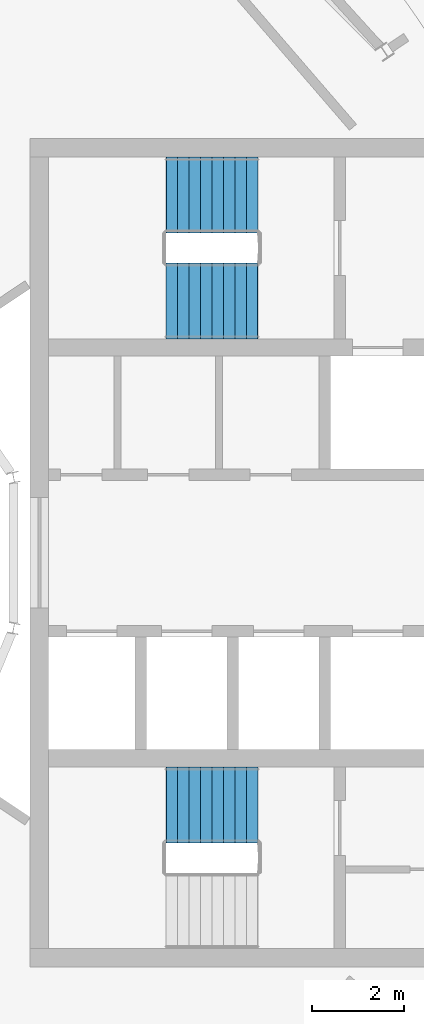
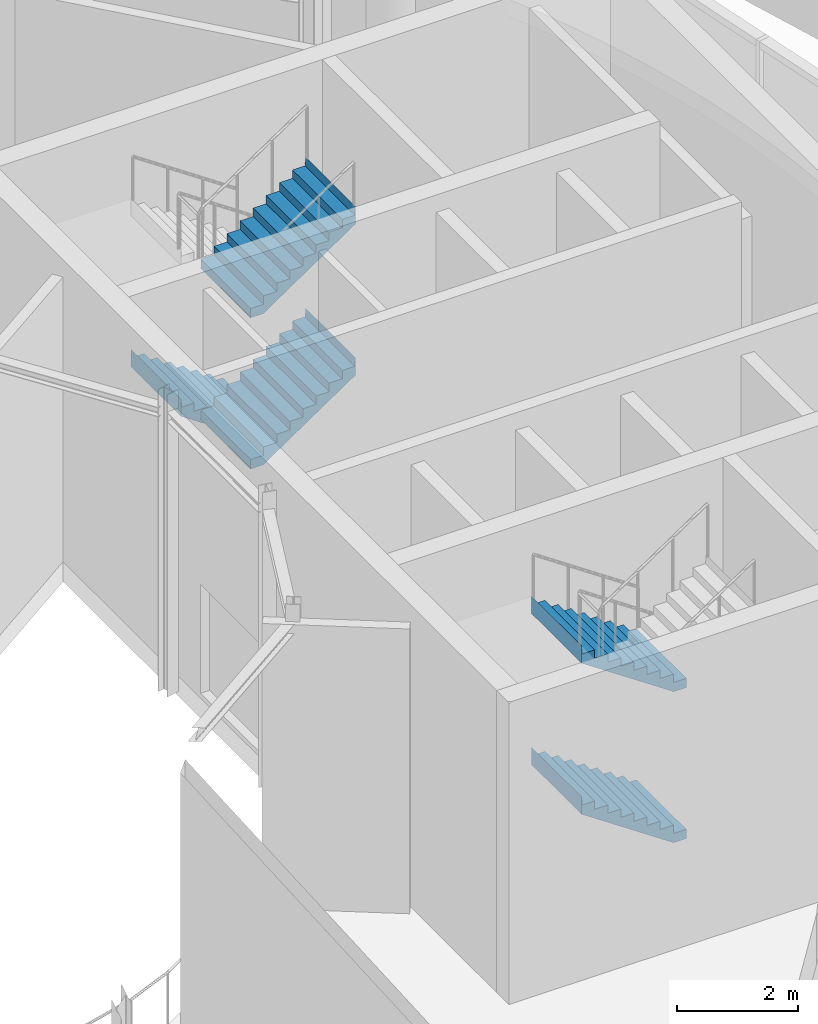
# One storey, part 17 of 20: 5 stair flights, 2 elements without a shape of their own.
"""IFC4 building model written with IfcOpenShell, lengths in metres."""

from ifc_helpers import new_model, si_unit, direction, frame, origin, place, context, subcontext, project, spatial, triangles, material, type_object, element, aggregate, save


model = new_model("IFC4")

# Units and contexts
model_context = context("Model", 3, precision=1e-05, world=origin(), true_north=direction((0.0, 1.0)))
body_context = subcontext(model_context, "Body", "Model", "MODEL_VIEW")
ifc_project = project(units=[si_unit("LENGTHUNIT", "METRE"), si_unit("AREAUNIT", "SQUARE_METRE"), si_unit("VOLUMEUNIT", "CUBIC_METRE"), si_unit("PLANEANGLEUNIT", "RADIAN"), si_unit("MASSUNIT", "GRAM", prefix="KILO")], contexts=[model_context])

# Site, building, storey
site_placement = place(None, origin())
site = spatial("IfcSite", under=ifc_project, at=site_placement, CompositionType="ELEMENT")
building_placement = place(site_placement, origin())
building = spatial("IfcBuilding", under=site, at=building_placement, Name="Maasbend Ring Residences", CompositionType="ELEMENT")
storey_placement = place(building_placement, frame((0.0, 0.0, 255.39990234375)))
storey = spatial("IfcBuildingStorey", under=building, at=storey_placement, Name="L74", CompositionType="ELEMENT", Elevation=255.39990234375)

# Stair, stair flights
ifc_material_1 = material(Name="Concrete C40/50", Category="concrete")
stair_type = type_object("IfcStairType", Name="CORE STAIR 36 RISERS", PredefinedType="HALF_TURN_STAIR", material=ifc_material_1)
stair_1_placement = place(storey_placement, origin())
stair_1 = element("IfcStair", 1, at=stair_1_placement, inside=storey, type_object=stair_type, Name="L74 Exit stair ST-E1", PredefinedType="HALF_TURN_STAIR")
ifc_material_2 = material(Name="Concrete C40/50", Category="concrete")
stair_flight_type = type_object("IfcStairFlightType", Name="CORE STAIR FLIGHT 1650", PredefinedType="STRAIGHT", material=ifc_material_2)
stair_flight_1_placement = place(storey_placement, frame((13.550048828125, 7.77490234375, 0.0), z_axis=(0.0, 0.0, 1.0), x_axis=(-1.0, 0.0, 0.0)))
stair_flight_1 = element("IfcStairFlight", 2, at=stair_flight_1_placement, type_object=stair_flight_type, Name="ST-E1 flight 1", NumberOfRisers=9, NumberOfTreads=8, PredefinedType="STRAIGHT", RiserHeight=0.169444444, TreadLength=0.25, context=body_context, shape_type="Tessellation", body=[
    triangles([(0.24072265625, 0.824951171875, -0.02001953125), (2.0029296875, 0.824951171875, 1.174560546875), (2.0029296875, 0.824951171875, 1.52490234375), (1.989990234375, 0.824951171875, 1.35546875), (1.75, 0.824951171875, 1.35546875), (1.75, 0.824951171875, 1.18603515625), (1.5, 0.824951171875, 1.18603515625), (1.5, 0.824951171875, 1.0166015625), (1.25, 0.824951171875, 1.0166015625), (1.25, 0.824951171875, 0.84716796875), (1.0, 0.824951171875, 0.84716796875), (1.0, 0.824951171875, 0.677734375), (0.75, 0.824951171875, 0.677734375), (0.75, 0.824951171875, 0.50830078125), (0.5, 0.824951171875, 0.50830078125), (0.5, 0.824951171875, 0.3388671875), (0.25, 0.824951171875, 0.3388671875), (0.25, 0.824951171875, 0.16943359375), (0.0, 0.824951171875, 0.16943359375), (0.0, 0.824951171875, 0.0), (-0.0029296875, 0.824951171875, 0.0), (-0.0029296875, 0.824951171875, -0.02001953125), (0.24072265625, 0.27490234375, -0.02001953125), (2.0029296875, 0.27490234375, 1.174560546875), (2.0029296875, 0.27490234375, 1.52490234375), (1.989990234375, 0.27490234375, 1.35546875), (1.75, 0.27490234375, 1.35546875), (1.75, 0.27490234375, 1.18603515625), (1.5, 0.27490234375, 1.18603515625), (1.5, 0.27490234375, 1.0166015625), (1.25, 0.27490234375, 1.0166015625), (1.25, 0.27490234375, 0.84716796875), (1.0, 0.27490234375, 0.84716796875), (1.0, 0.27490234375, 0.677734375), (0.75, 0.27490234375, 0.677734375), (0.75, 0.27490234375, 0.50830078125), (0.5, 0.27490234375, 0.50830078125), (0.5, 0.27490234375, 0.3388671875), (0.25, 0.27490234375, 0.3388671875), (0.25, 0.27490234375, 0.16943359375), (0.0, 0.27490234375, 0.16943359375), (0.0, 0.27490234375, 0.0), (-0.0029296875, 0.27490234375, 0.0), (-0.0029296875, 0.27490234375, -0.02001953125), (0.24072265625, -0.27490234375, -0.02001953125), (2.0029296875, -0.27490234375, 1.174560546875), (2.0029296875, -0.27490234375, 1.52490234375), (1.989990234375, -0.27490234375, 1.35546875), (1.75, -0.27490234375, 1.35546875), (1.75, -0.27490234375, 1.18603515625), (1.5, -0.27490234375, 1.18603515625), (1.5, -0.27490234375, 1.0166015625), (1.25, -0.27490234375, 1.0166015625), (1.25, -0.27490234375, 0.84716796875), (1.0, -0.27490234375, 0.84716796875), (1.0, -0.27490234375, 0.677734375), (0.75, -0.27490234375, 0.677734375), (0.75, -0.27490234375, 0.50830078125), (0.5, -0.27490234375, 0.50830078125), (0.5, -0.27490234375, 0.3388671875), (0.25, -0.27490234375, 0.3388671875), (0.25, -0.27490234375, 0.16943359375), (0.0, -0.27490234375, 0.16943359375), (0.0, -0.27490234375, 0.0), (-0.0029296875, -0.27490234375, 0.0), (-0.0029296875, -0.27490234375, -0.02001953125), (0.24072265625, -0.824951171875, -0.02001953125), (2.0029296875, -0.824951171875, 1.174560546875), (2.0029296875, -0.824951171875, 1.52490234375), (1.989990234375, -0.824951171875, 1.35546875), (1.75, -0.824951171875, 1.35546875), (1.75, -0.824951171875, 1.18603515625), (1.5, -0.824951171875, 1.18603515625), (1.5, -0.824951171875, 1.0166015625), (1.25, -0.824951171875, 1.0166015625), (1.25, -0.824951171875, 0.84716796875), (1.0, -0.824951171875, 0.84716796875), (1.0, -0.824951171875, 0.677734375), (0.75, -0.824951171875, 0.677734375), (0.75, -0.824951171875, 0.50830078125), (0.5, -0.824951171875, 0.50830078125), (0.5, -0.824951171875, 0.3388671875), (0.25, -0.824951171875, 0.3388671875), (0.25, -0.824951171875, 0.16943359375), (0.0, -0.824951171875, 0.16943359375), (0.0, -0.824951171875, 0.0), (-0.0029296875, -0.824951171875, 0.0), (-0.0029296875, -0.824951171875, -0.02001953125)], [[1, 2, 24], [1, 24, 23], [23, 24, 46], [23, 46, 45], [45, 46, 68], [45, 68, 67], [2, 3, 25], [2, 25, 24], [24, 25, 47], [24, 47, 46], [46, 47, 69], [46, 69, 68], [3, 4, 26], [3, 26, 25], [25, 26, 48], [25, 48, 47], [47, 48, 70], [47, 70, 69], [4, 5, 27], [4, 27, 26], [26, 27, 49], [26, 49, 48], [48, 49, 71], [48, 71, 70], [5, 6, 28], [5, 28, 27], [27, 28, 50], [27, 50, 49], [49, 50, 72], [49, 72, 71], [6, 7, 29], [6, 29, 28], [28, 29, 51], [28, 51, 50], [50, 51, 73], [50, 73, 72], [7, 8, 30], [7, 30, 29], [29, 30, 52], [29, 52, 51], [51, 52, 74], [51, 74, 73], [8, 9, 31], [8, 31, 30], [30, 31, 53], [30, 53, 52], [52, 53, 75], [52, 75, 74], [9, 10, 32], [9, 32, 31], [31, 32, 54], [31, 54, 53], [53, 54, 76], [53, 76, 75], [10, 11, 33], [10, 33, 32], [32, 33, 55], [32, 55, 54], [54, 55, 77], [54, 77, 76], [11, 12, 34], [11, 34, 33], [33, 34, 56], [33, 56, 55], [55, 56, 78], [55, 78, 77], [12, 13, 35], [12, 35, 34], [34, 35, 57], [34, 57, 56], [56, 57, 79], [56, 79, 78], [13, 14, 36], [13, 36, 35], [35, 36, 58], [35, 58, 57], [57, 58, 80], [57, 80, 79], [14, 15, 37], [14, 37, 36], [36, 37, 59], [36, 59, 58], [58, 59, 81], [58, 81, 80], [15, 16, 38], [15, 38, 37], [37, 38, 60], [37, 60, 59], [59, 60, 82], [59, 82, 81], [16, 17, 39], [16, 39, 38], [38, 39, 61], [38, 61, 60], [60, 61, 83], [60, 83, 82], [17, 18, 40], [17, 40, 39], [39, 40, 62], [39, 62, 61], [61, 62, 84], [61, 84, 83], [18, 19, 41], [18, 41, 40], [40, 41, 63], [40, 63, 62], [62, 63, 85], [62, 85, 84], [19, 20, 42], [19, 42, 41], [41, 42, 64], [41, 64, 63], [63, 64, 86], [63, 86, 85], [20, 21, 43], [20, 43, 42], [42, 43, 65], [42, 65, 64], [64, 65, 87], [64, 87, 86], [21, 22, 44], [21, 44, 43], [43, 44, 66], [43, 66, 65], [65, 66, 88], [65, 88, 87], [22, 1, 23], [22, 23, 44], [44, 23, 45], [44, 45, 66], [66, 45, 67], [66, 67, 88], [22, 2, 1], [2, 4, 3], [2, 5, 4], [2, 6, 5], [22, 6, 2], [6, 8, 7], [22, 8, 6], [8, 10, 9], [22, 10, 8], [10, 12, 11], [22, 12, 10], [12, 14, 13], [22, 14, 12], [14, 16, 15], [22, 16, 14], [16, 18, 17], [22, 18, 16], [18, 20, 19], [22, 20, 18], [20, 22, 21], [88, 67, 68], [68, 69, 70], [68, 70, 71], [68, 71, 72], [88, 68, 72], [72, 73, 74], [88, 72, 74], [74, 75, 76], [88, 74, 76], [76, 77, 78], [88, 76, 78], [78, 79, 80], [88, 78, 80], [80, 81, 82], [88, 80, 82], [82, 83, 84], [88, 82, 84], [84, 85, 86], [88, 84, 86], [86, 87, 88]], closed=True),
])
stair_flight_2_placement = place(storey_placement, frame((11.550048828125, 5.47509765625, 1.525146484375), z_axis=(0.0, 0.0, 1.0), x_axis=(1.0, 0.0, 0.0)))
stair_flight_2 = element("IfcStairFlight", 3, at=stair_flight_2_placement, type_object=stair_flight_type, Name="ST-E1 flight 2", NumberOfRisers=9, NumberOfTreads=8, PredefinedType="STRAIGHT", RiserHeight=0.169444444, TreadLength=0.25, context=body_context, shape_type="Tessellation", body=[
    triangles([(0.24072265625, 0.824951171875, -0.02001953125), (2.0029296875, 0.824951171875, 1.174560546875), (2.0029296875, 0.824951171875, 1.52490234375), (1.989990234375, 0.824951171875, 1.35546875), (1.75, 0.824951171875, 1.35546875), (1.75, 0.824951171875, 1.18603515625), (1.5, 0.824951171875, 1.18603515625), (1.5, 0.824951171875, 1.0166015625), (1.25, 0.824951171875, 1.0166015625), (1.25, 0.824951171875, 0.84716796875), (1.0, 0.824951171875, 0.84716796875), (1.0, 0.824951171875, 0.677734375), (0.75, 0.824951171875, 0.677734375), (0.75, 0.824951171875, 0.50830078125), (0.5, 0.824951171875, 0.50830078125), (0.5, 0.824951171875, 0.3388671875), (0.25, 0.824951171875, 0.3388671875), (0.25, 0.824951171875, 0.16943359375), (0.0, 0.824951171875, 0.16943359375), (0.0, 0.824951171875, 0.0), (-0.0029296875, 0.824951171875, 0.0), (-0.0029296875, 0.824951171875, -0.02001953125), (0.24072265625, 0.27490234375, -0.02001953125), (2.0029296875, 0.27490234375, 1.174560546875), (2.0029296875, 0.27490234375, 1.52490234375), (1.989990234375, 0.27490234375, 1.35546875), (1.75, 0.27490234375, 1.35546875), (1.75, 0.27490234375, 1.18603515625), (1.5, 0.27490234375, 1.18603515625), (1.5, 0.27490234375, 1.0166015625), (1.25, 0.27490234375, 1.0166015625), (1.25, 0.27490234375, 0.84716796875), (1.0, 0.27490234375, 0.84716796875), (1.0, 0.27490234375, 0.677734375), (0.75, 0.27490234375, 0.677734375), (0.75, 0.27490234375, 0.50830078125), (0.5, 0.27490234375, 0.50830078125), (0.5, 0.27490234375, 0.3388671875), (0.25, 0.27490234375, 0.3388671875), (0.25, 0.27490234375, 0.16943359375), (0.0, 0.27490234375, 0.16943359375), (0.0, 0.27490234375, 0.0), (-0.0029296875, 0.27490234375, 0.0), (-0.0029296875, 0.27490234375, -0.02001953125), (0.24072265625, -0.27490234375, -0.02001953125), (2.0029296875, -0.27490234375, 1.174560546875), (2.0029296875, -0.27490234375, 1.52490234375), (1.989990234375, -0.27490234375, 1.35546875), (1.75, -0.27490234375, 1.35546875), (1.75, -0.27490234375, 1.18603515625), (1.5, -0.27490234375, 1.18603515625), (1.5, -0.27490234375, 1.0166015625), (1.25, -0.27490234375, 1.0166015625), (1.25, -0.27490234375, 0.84716796875), (1.0, -0.27490234375, 0.84716796875), (1.0, -0.27490234375, 0.677734375), (0.75, -0.27490234375, 0.677734375), (0.75, -0.27490234375, 0.50830078125), (0.5, -0.27490234375, 0.50830078125), (0.5, -0.27490234375, 0.3388671875), (0.25, -0.27490234375, 0.3388671875), (0.25, -0.27490234375, 0.16943359375), (0.0, -0.27490234375, 0.16943359375), (0.0, -0.27490234375, 0.0), (-0.0029296875, -0.27490234375, 0.0), (-0.0029296875, -0.27490234375, -0.02001953125), (0.24072265625, -0.824951171875, -0.02001953125), (2.0029296875, -0.824951171875, 1.174560546875), (2.0029296875, -0.824951171875, 1.52490234375), (1.989990234375, -0.824951171875, 1.35546875), (1.75, -0.824951171875, 1.35546875), (1.75, -0.824951171875, 1.18603515625), (1.5, -0.824951171875, 1.18603515625), (1.5, -0.824951171875, 1.0166015625), (1.25, -0.824951171875, 1.0166015625), (1.25, -0.824951171875, 0.84716796875), (1.0, -0.824951171875, 0.84716796875), (1.0, -0.824951171875, 0.677734375), (0.75, -0.824951171875, 0.677734375), (0.75, -0.824951171875, 0.50830078125), (0.5, -0.824951171875, 0.50830078125), (0.5, -0.824951171875, 0.3388671875), (0.25, -0.824951171875, 0.3388671875), (0.25, -0.824951171875, 0.16943359375), (0.0, -0.824951171875, 0.16943359375), (0.0, -0.824951171875, 0.0), (-0.0029296875, -0.824951171875, 0.0), (-0.0029296875, -0.824951171875, -0.02001953125)], [[1, 2, 24], [1, 24, 23], [23, 24, 46], [23, 46, 45], [45, 46, 68], [45, 68, 67], [2, 3, 25], [2, 25, 24], [24, 25, 47], [24, 47, 46], [46, 47, 69], [46, 69, 68], [3, 4, 26], [3, 26, 25], [25, 26, 48], [25, 48, 47], [47, 48, 70], [47, 70, 69], [4, 5, 27], [4, 27, 26], [26, 27, 49], [26, 49, 48], [48, 49, 71], [48, 71, 70], [5, 6, 28], [5, 28, 27], [27, 28, 50], [27, 50, 49], [49, 50, 72], [49, 72, 71], [6, 7, 29], [6, 29, 28], [28, 29, 51], [28, 51, 50], [50, 51, 73], [50, 73, 72], [7, 8, 30], [7, 30, 29], [29, 30, 52], [29, 52, 51], [51, 52, 74], [51, 74, 73], [8, 9, 31], [8, 31, 30], [30, 31, 53], [30, 53, 52], [52, 53, 75], [52, 75, 74], [9, 10, 32], [9, 32, 31], [31, 32, 54], [31, 54, 53], [53, 54, 76], [53, 76, 75], [10, 11, 33], [10, 33, 32], [32, 33, 55], [32, 55, 54], [54, 55, 77], [54, 77, 76], [11, 12, 34], [11, 34, 33], [33, 34, 56], [33, 56, 55], [55, 56, 78], [55, 78, 77], [12, 13, 35], [12, 35, 34], [34, 35, 57], [34, 57, 56], [56, 57, 79], [56, 79, 78], [13, 14, 36], [13, 36, 35], [35, 36, 58], [35, 58, 57], [57, 58, 80], [57, 80, 79], [14, 15, 37], [14, 37, 36], [36, 37, 59], [36, 59, 58], [58, 59, 81], [58, 81, 80], [15, 16, 38], [15, 38, 37], [37, 38, 60], [37, 60, 59], [59, 60, 82], [59, 82, 81], [16, 17, 39], [16, 39, 38], [38, 39, 61], [38, 61, 60], [60, 61, 83], [60, 83, 82], [17, 18, 40], [17, 40, 39], [39, 40, 62], [39, 62, 61], [61, 62, 84], [61, 84, 83], [18, 19, 41], [18, 41, 40], [40, 41, 63], [40, 63, 62], [62, 63, 85], [62, 85, 84], [19, 20, 42], [19, 42, 41], [41, 42, 64], [41, 64, 63], [63, 64, 86], [63, 86, 85], [20, 21, 43], [20, 43, 42], [42, 43, 65], [42, 65, 64], [64, 65, 87], [64, 87, 86], [21, 22, 44], [21, 44, 43], [43, 44, 66], [43, 66, 65], [65, 66, 88], [65, 88, 87], [22, 1, 23], [22, 23, 44], [44, 23, 45], [44, 45, 66], [66, 45, 67], [66, 67, 88], [22, 2, 1], [2, 4, 3], [2, 5, 4], [2, 6, 5], [22, 6, 2], [6, 8, 7], [22, 8, 6], [8, 10, 9], [22, 10, 8], [10, 12, 11], [22, 12, 10], [12, 14, 13], [22, 14, 12], [14, 16, 15], [22, 16, 14], [16, 18, 17], [22, 18, 16], [18, 20, 19], [22, 20, 18], [20, 22, 21], [88, 67, 68], [68, 69, 70], [68, 70, 71], [68, 71, 72], [88, 68, 72], [72, 73, 74], [88, 72, 74], [74, 75, 76], [88, 74, 76], [76, 77, 78], [88, 76, 78], [78, 79, 80], [88, 78, 80], [80, 81, 82], [88, 80, 82], [82, 83, 84], [88, 82, 84], [84, 85, 86], [88, 84, 86], [86, 87, 88]], closed=True),
])
stair_flight_3_placement = place(storey_placement, frame((11.550048828125, 5.47509765625, 4.5751953125), z_axis=(0.0, 0.0, 1.0), x_axis=(1.0, 0.0, 0.0)))
stair_flight_3 = element("IfcStairFlight", 4, at=stair_flight_3_placement, type_object=stair_flight_type, Name="ST-E1 flight 4", NumberOfRisers=9, NumberOfTreads=8, PredefinedType="STRAIGHT", RiserHeight=0.169444444, TreadLength=0.25, context=body_context, shape_type="Tessellation", body=[
    triangles([(0.24072265625, 0.824951171875, -0.02001953125), (2.0029296875, 0.824951171875, 1.174560546875), (2.0029296875, 0.824951171875, 1.52490234375), (1.989990234375, 0.824951171875, 1.35546875), (1.75, 0.824951171875, 1.35546875), (1.75, 0.824951171875, 1.18603515625), (1.5, 0.824951171875, 1.18603515625), (1.5, 0.824951171875, 1.0166015625), (1.25, 0.824951171875, 1.0166015625), (1.25, 0.824951171875, 0.84716796875), (1.0, 0.824951171875, 0.84716796875), (1.0, 0.824951171875, 0.677734375), (0.75, 0.824951171875, 0.677734375), (0.75, 0.824951171875, 0.50830078125), (0.5, 0.824951171875, 0.50830078125), (0.5, 0.824951171875, 0.3388671875), (0.25, 0.824951171875, 0.3388671875), (0.25, 0.824951171875, 0.16943359375), (0.0, 0.824951171875, 0.16943359375), (0.0, 0.824951171875, 0.0), (-0.0029296875, 0.824951171875, 0.0), (-0.0029296875, 0.824951171875, -0.02001953125), (0.24072265625, 0.27490234375, -0.02001953125), (2.0029296875, 0.27490234375, 1.174560546875), (2.0029296875, 0.27490234375, 1.52490234375), (1.989990234375, 0.27490234375, 1.35546875), (1.75, 0.27490234375, 1.35546875), (1.75, 0.27490234375, 1.18603515625), (1.5, 0.27490234375, 1.18603515625), (1.5, 0.27490234375, 1.0166015625), (1.25, 0.27490234375, 1.0166015625), (1.25, 0.27490234375, 0.84716796875), (1.0, 0.27490234375, 0.84716796875), (1.0, 0.27490234375, 0.677734375), (0.75, 0.27490234375, 0.677734375), (0.75, 0.27490234375, 0.50830078125), (0.5, 0.27490234375, 0.50830078125), (0.5, 0.27490234375, 0.3388671875), (0.25, 0.27490234375, 0.3388671875), (0.25, 0.27490234375, 0.16943359375), (0.0, 0.27490234375, 0.16943359375), (0.0, 0.27490234375, 0.0), (-0.0029296875, 0.27490234375, 0.0), (-0.0029296875, 0.27490234375, -0.02001953125), (0.24072265625, -0.27490234375, -0.02001953125), (2.0029296875, -0.27490234375, 1.174560546875), (2.0029296875, -0.27490234375, 1.52490234375), (1.989990234375, -0.27490234375, 1.35546875), (1.75, -0.27490234375, 1.35546875), (1.75, -0.27490234375, 1.18603515625), (1.5, -0.27490234375, 1.18603515625), (1.5, -0.27490234375, 1.0166015625), (1.25, -0.27490234375, 1.0166015625), (1.25, -0.27490234375, 0.84716796875), (1.0, -0.27490234375, 0.84716796875), (1.0, -0.27490234375, 0.677734375), (0.75, -0.27490234375, 0.677734375), (0.75, -0.27490234375, 0.50830078125), (0.5, -0.27490234375, 0.50830078125), (0.5, -0.27490234375, 0.3388671875), (0.25, -0.27490234375, 0.3388671875), (0.25, -0.27490234375, 0.16943359375), (0.0, -0.27490234375, 0.16943359375), (0.0, -0.27490234375, 0.0), (-0.0029296875, -0.27490234375, 0.0), (-0.0029296875, -0.27490234375, -0.02001953125), (0.24072265625, -0.824951171875, -0.02001953125), (2.0029296875, -0.824951171875, 1.174560546875), (2.0029296875, -0.824951171875, 1.52490234375), (1.989990234375, -0.824951171875, 1.35546875), (1.75, -0.824951171875, 1.35546875), (1.75, -0.824951171875, 1.18603515625), (1.5, -0.824951171875, 1.18603515625), (1.5, -0.824951171875, 1.0166015625), (1.25, -0.824951171875, 1.0166015625), (1.25, -0.824951171875, 0.84716796875), (1.0, -0.824951171875, 0.84716796875), (1.0, -0.824951171875, 0.677734375), (0.75, -0.824951171875, 0.677734375), (0.75, -0.824951171875, 0.50830078125), (0.5, -0.824951171875, 0.50830078125), (0.5, -0.824951171875, 0.3388671875), (0.25, -0.824951171875, 0.3388671875), (0.25, -0.824951171875, 0.16943359375), (0.0, -0.824951171875, 0.16943359375), (0.0, -0.824951171875, 0.0), (-0.0029296875, -0.824951171875, 0.0), (-0.0029296875, -0.824951171875, -0.02001953125)], [[1, 2, 24], [1, 24, 23], [23, 24, 46], [23, 46, 45], [45, 46, 68], [45, 68, 67], [2, 3, 25], [2, 25, 24], [24, 25, 47], [24, 47, 46], [46, 47, 69], [46, 69, 68], [3, 4, 26], [3, 26, 25], [25, 26, 48], [25, 48, 47], [47, 48, 70], [47, 70, 69], [4, 5, 27], [4, 27, 26], [26, 27, 49], [26, 49, 48], [48, 49, 71], [48, 71, 70], [5, 6, 28], [5, 28, 27], [27, 28, 50], [27, 50, 49], [49, 50, 72], [49, 72, 71], [6, 7, 29], [6, 29, 28], [28, 29, 51], [28, 51, 50], [50, 51, 73], [50, 73, 72], [7, 8, 30], [7, 30, 29], [29, 30, 52], [29, 52, 51], [51, 52, 74], [51, 74, 73], [8, 9, 31], [8, 31, 30], [30, 31, 53], [30, 53, 52], [52, 53, 75], [52, 75, 74], [9, 10, 32], [9, 32, 31], [31, 32, 54], [31, 54, 53], [53, 54, 76], [53, 76, 75], [10, 11, 33], [10, 33, 32], [32, 33, 55], [32, 55, 54], [54, 55, 77], [54, 77, 76], [11, 12, 34], [11, 34, 33], [33, 34, 56], [33, 56, 55], [55, 56, 78], [55, 78, 77], [12, 13, 35], [12, 35, 34], [34, 35, 57], [34, 57, 56], [56, 57, 79], [56, 79, 78], [13, 14, 36], [13, 36, 35], [35, 36, 58], [35, 58, 57], [57, 58, 80], [57, 80, 79], [14, 15, 37], [14, 37, 36], [36, 37, 59], [36, 59, 58], [58, 59, 81], [58, 81, 80], [15, 16, 38], [15, 38, 37], [37, 38, 60], [37, 60, 59], [59, 60, 82], [59, 82, 81], [16, 17, 39], [16, 39, 38], [38, 39, 61], [38, 61, 60], [60, 61, 83], [60, 83, 82], [17, 18, 40], [17, 40, 39], [39, 40, 62], [39, 62, 61], [61, 62, 84], [61, 84, 83], [18, 19, 41], [18, 41, 40], [40, 41, 63], [40, 63, 62], [62, 63, 85], [62, 85, 84], [19, 20, 42], [19, 42, 41], [41, 42, 64], [41, 64, 63], [63, 64, 86], [63, 86, 85], [20, 21, 43], [20, 43, 42], [42, 43, 65], [42, 65, 64], [64, 65, 87], [64, 87, 86], [21, 22, 44], [21, 44, 43], [43, 44, 66], [43, 66, 65], [65, 66, 88], [65, 88, 87], [22, 1, 23], [22, 23, 44], [44, 23, 45], [44, 45, 66], [66, 45, 67], [66, 67, 88], [22, 2, 1], [2, 4, 3], [2, 5, 4], [2, 6, 5], [22, 6, 2], [6, 8, 7], [22, 8, 6], [8, 10, 9], [22, 10, 8], [10, 12, 11], [22, 12, 10], [12, 14, 13], [22, 14, 12], [14, 16, 15], [22, 16, 14], [16, 18, 17], [22, 18, 16], [18, 20, 19], [22, 20, 18], [20, 22, 21], [88, 67, 68], [68, 69, 70], [68, 70, 71], [68, 71, 72], [88, 68, 72], [72, 73, 74], [88, 72, 74], [74, 75, 76], [88, 74, 76], [76, 77, 78], [88, 76, 78], [78, 79, 80], [88, 78, 80], [80, 81, 82], [88, 80, 82], [82, 83, 84], [88, 82, 84], [84, 85, 86], [88, 84, 86], [86, 87, 88]], closed=True),
])
aggregate(stair_1, [stair_flight_1, stair_flight_2, stair_flight_3])

stair_2_placement = place(storey_placement, origin())
stair_2 = element("IfcStair", 5, at=stair_2_placement, inside=storey, type_object=stair_type, Name="L74 Exit stair ST-E2", PredefinedType="HALF_TURN_STAIR")
stair_flight_4_placement = place(storey_placement, frame((13.550048828125, -5.47509765625, 0.0), z_axis=(0.0, 0.0, 1.0), x_axis=(-1.0, 0.0, 0.0)))
stair_flight_4 = element("IfcStairFlight", 6, at=stair_flight_4_placement, type_object=stair_flight_type, Name="ST-E2 flight 1", NumberOfRisers=9, NumberOfTreads=8, PredefinedType="STRAIGHT", RiserHeight=0.169444444, TreadLength=0.25, context=body_context, shape_type="Tessellation", body=[
    triangles([(0.24072265625, 0.824951171875, -0.02001953125), (2.0029296875, 0.824951171875, 1.174560546875), (2.0029296875, 0.824951171875, 1.52490234375), (1.989990234375, 0.824951171875, 1.35546875), (1.75, 0.824951171875, 1.35546875), (1.75, 0.824951171875, 1.18603515625), (1.5, 0.824951171875, 1.18603515625), (1.5, 0.824951171875, 1.0166015625), (1.25, 0.824951171875, 1.0166015625), (1.25, 0.824951171875, 0.84716796875), (1.0, 0.824951171875, 0.84716796875), (1.0, 0.824951171875, 0.677734375), (0.75, 0.824951171875, 0.677734375), (0.75, 0.824951171875, 0.50830078125), (0.5, 0.824951171875, 0.50830078125), (0.5, 0.824951171875, 0.3388671875), (0.25, 0.824951171875, 0.3388671875), (0.25, 0.824951171875, 0.16943359375), (0.0, 0.824951171875, 0.16943359375), (0.0, 0.824951171875, 0.0), (-0.0029296875, 0.824951171875, 0.0), (-0.0029296875, 0.824951171875, -0.02001953125), (0.24072265625, 0.27490234375, -0.02001953125), (2.0029296875, 0.27490234375, 1.174560546875), (2.0029296875, 0.27490234375, 1.52490234375), (1.989990234375, 0.27490234375, 1.35546875), (1.75, 0.27490234375, 1.35546875), (1.75, 0.27490234375, 1.18603515625), (1.5, 0.27490234375, 1.18603515625), (1.5, 0.27490234375, 1.0166015625), (1.25, 0.27490234375, 1.0166015625), (1.25, 0.27490234375, 0.84716796875), (1.0, 0.27490234375, 0.84716796875), (1.0, 0.27490234375, 0.677734375), (0.75, 0.27490234375, 0.677734375), (0.75, 0.27490234375, 0.50830078125), (0.5, 0.27490234375, 0.50830078125), (0.5, 0.27490234375, 0.3388671875), (0.25, 0.27490234375, 0.3388671875), (0.25, 0.27490234375, 0.16943359375), (0.0, 0.27490234375, 0.16943359375), (0.0, 0.27490234375, 0.0), (-0.0029296875, 0.27490234375, 0.0), (-0.0029296875, 0.27490234375, -0.02001953125), (0.24072265625, -0.27490234375, -0.02001953125), (2.0029296875, -0.27490234375, 1.174560546875), (2.0029296875, -0.27490234375, 1.52490234375), (1.989990234375, -0.27490234375, 1.35546875), (1.75, -0.27490234375, 1.35546875), (1.75, -0.27490234375, 1.18603515625), (1.5, -0.27490234375, 1.18603515625), (1.5, -0.27490234375, 1.0166015625), (1.25, -0.27490234375, 1.0166015625), (1.25, -0.27490234375, 0.84716796875), (1.0, -0.27490234375, 0.84716796875), (1.0, -0.27490234375, 0.677734375), (0.75, -0.27490234375, 0.677734375), (0.75, -0.27490234375, 0.50830078125), (0.5, -0.27490234375, 0.50830078125), (0.5, -0.27490234375, 0.3388671875), (0.25, -0.27490234375, 0.3388671875), (0.25, -0.27490234375, 0.16943359375), (0.0, -0.27490234375, 0.16943359375), (0.0, -0.27490234375, 0.0), (-0.0029296875, -0.27490234375, 0.0), (-0.0029296875, -0.27490234375, -0.02001953125), (0.24072265625, -0.824951171875, -0.02001953125), (2.0029296875, -0.824951171875, 1.174560546875), (2.0029296875, -0.824951171875, 1.52490234375), (1.989990234375, -0.824951171875, 1.35546875), (1.75, -0.824951171875, 1.35546875), (1.75, -0.824951171875, 1.18603515625), (1.5, -0.824951171875, 1.18603515625), (1.5, -0.824951171875, 1.0166015625), (1.25, -0.824951171875, 1.0166015625), (1.25, -0.824951171875, 0.84716796875), (1.0, -0.824951171875, 0.84716796875), (1.0, -0.824951171875, 0.677734375), (0.75, -0.824951171875, 0.677734375), (0.75, -0.824951171875, 0.50830078125), (0.5, -0.824951171875, 0.50830078125), (0.5, -0.824951171875, 0.3388671875), (0.25, -0.824951171875, 0.3388671875), (0.25, -0.824951171875, 0.16943359375), (0.0, -0.824951171875, 0.16943359375), (0.0, -0.824951171875, 0.0), (-0.0029296875, -0.824951171875, 0.0), (-0.0029296875, -0.824951171875, -0.02001953125)], [[1, 2, 24], [1, 24, 23], [23, 24, 46], [23, 46, 45], [45, 46, 68], [45, 68, 67], [2, 3, 25], [2, 25, 24], [24, 25, 47], [24, 47, 46], [46, 47, 69], [46, 69, 68], [3, 4, 26], [3, 26, 25], [25, 26, 48], [25, 48, 47], [47, 48, 70], [47, 70, 69], [4, 5, 27], [4, 27, 26], [26, 27, 49], [26, 49, 48], [48, 49, 71], [48, 71, 70], [5, 6, 28], [5, 28, 27], [27, 28, 50], [27, 50, 49], [49, 50, 72], [49, 72, 71], [6, 7, 29], [6, 29, 28], [28, 29, 51], [28, 51, 50], [50, 51, 73], [50, 73, 72], [7, 8, 30], [7, 30, 29], [29, 30, 52], [29, 52, 51], [51, 52, 74], [51, 74, 73], [8, 9, 31], [8, 31, 30], [30, 31, 53], [30, 53, 52], [52, 53, 75], [52, 75, 74], [9, 10, 32], [9, 32, 31], [31, 32, 54], [31, 54, 53], [53, 54, 76], [53, 76, 75], [10, 11, 33], [10, 33, 32], [32, 33, 55], [32, 55, 54], [54, 55, 77], [54, 77, 76], [11, 12, 34], [11, 34, 33], [33, 34, 56], [33, 56, 55], [55, 56, 78], [55, 78, 77], [12, 13, 35], [12, 35, 34], [34, 35, 57], [34, 57, 56], [56, 57, 79], [56, 79, 78], [13, 14, 36], [13, 36, 35], [35, 36, 58], [35, 58, 57], [57, 58, 80], [57, 80, 79], [14, 15, 37], [14, 37, 36], [36, 37, 59], [36, 59, 58], [58, 59, 81], [58, 81, 80], [15, 16, 38], [15, 38, 37], [37, 38, 60], [37, 60, 59], [59, 60, 82], [59, 82, 81], [16, 17, 39], [16, 39, 38], [38, 39, 61], [38, 61, 60], [60, 61, 83], [60, 83, 82], [17, 18, 40], [17, 40, 39], [39, 40, 62], [39, 62, 61], [61, 62, 84], [61, 84, 83], [18, 19, 41], [18, 41, 40], [40, 41, 63], [40, 63, 62], [62, 63, 85], [62, 85, 84], [19, 20, 42], [19, 42, 41], [41, 42, 64], [41, 64, 63], [63, 64, 86], [63, 86, 85], [20, 21, 43], [20, 43, 42], [42, 43, 65], [42, 65, 64], [64, 65, 87], [64, 87, 86], [21, 22, 44], [21, 44, 43], [43, 44, 66], [43, 66, 65], [65, 66, 88], [65, 88, 87], [22, 1, 23], [22, 23, 44], [44, 23, 45], [44, 45, 66], [66, 45, 67], [66, 67, 88], [22, 2, 1], [2, 4, 3], [2, 5, 4], [2, 6, 5], [22, 6, 2], [6, 8, 7], [22, 8, 6], [8, 10, 9], [22, 10, 8], [10, 12, 11], [22, 12, 10], [12, 14, 13], [22, 14, 12], [14, 16, 15], [22, 16, 14], [16, 18, 17], [22, 18, 16], [18, 20, 19], [22, 20, 18], [20, 22, 21], [88, 67, 68], [68, 69, 70], [68, 70, 71], [68, 71, 72], [88, 68, 72], [72, 73, 74], [88, 72, 74], [74, 75, 76], [88, 74, 76], [76, 77, 78], [88, 76, 78], [78, 79, 80], [88, 78, 80], [80, 81, 82], [88, 80, 82], [82, 83, 84], [88, 82, 84], [84, 85, 86], [88, 84, 86], [86, 87, 88]], closed=True),
])
stair_flight_5_placement = place(storey_placement, frame((13.550048828125, -5.47509765625, 3.050048828125), z_axis=(0.0, 0.0, 1.0), x_axis=(-1.0, 0.0, 0.0)))
stair_flight_5 = element("IfcStairFlight", 7, at=stair_flight_5_placement, type_object=stair_flight_type, Name="ST-E2 flight 3", NumberOfRisers=9, NumberOfTreads=8, PredefinedType="STRAIGHT", RiserHeight=0.169444444, TreadLength=0.25, context=body_context, shape_type="Tessellation", body=[
    triangles([(0.24072265625, 0.824951171875, -0.02001953125), (2.0029296875, 0.824951171875, 1.174560546875), (2.0029296875, 0.824951171875, 1.52490234375), (1.989990234375, 0.824951171875, 1.35546875), (1.75, 0.824951171875, 1.35546875), (1.75, 0.824951171875, 1.18603515625), (1.5, 0.824951171875, 1.18603515625), (1.5, 0.824951171875, 1.0166015625), (1.25, 0.824951171875, 1.0166015625), (1.25, 0.824951171875, 0.84716796875), (1.0, 0.824951171875, 0.84716796875), (1.0, 0.824951171875, 0.677734375), (0.75, 0.824951171875, 0.677734375), (0.75, 0.824951171875, 0.50830078125), (0.5, 0.824951171875, 0.50830078125), (0.5, 0.824951171875, 0.3388671875), (0.25, 0.824951171875, 0.3388671875), (0.25, 0.824951171875, 0.16943359375), (0.0, 0.824951171875, 0.16943359375), (0.0, 0.824951171875, 0.0), (-0.0029296875, 0.824951171875, 0.0), (-0.0029296875, 0.824951171875, -0.02001953125), (0.24072265625, 0.27490234375, -0.02001953125), (2.0029296875, 0.27490234375, 1.174560546875), (2.0029296875, 0.27490234375, 1.52490234375), (1.989990234375, 0.27490234375, 1.35546875), (1.75, 0.27490234375, 1.35546875), (1.75, 0.27490234375, 1.18603515625), (1.5, 0.27490234375, 1.18603515625), (1.5, 0.27490234375, 1.0166015625), (1.25, 0.27490234375, 1.0166015625), (1.25, 0.27490234375, 0.84716796875), (1.0, 0.27490234375, 0.84716796875), (1.0, 0.27490234375, 0.677734375), (0.75, 0.27490234375, 0.677734375), (0.75, 0.27490234375, 0.50830078125), (0.5, 0.27490234375, 0.50830078125), (0.5, 0.27490234375, 0.3388671875), (0.25, 0.27490234375, 0.3388671875), (0.25, 0.27490234375, 0.16943359375), (0.0, 0.27490234375, 0.16943359375), (0.0, 0.27490234375, 0.0), (-0.0029296875, 0.27490234375, 0.0), (-0.0029296875, 0.27490234375, -0.02001953125), (0.24072265625, -0.27490234375, -0.02001953125), (2.0029296875, -0.27490234375, 1.174560546875), (2.0029296875, -0.27490234375, 1.52490234375), (1.989990234375, -0.27490234375, 1.35546875), (1.75, -0.27490234375, 1.35546875), (1.75, -0.27490234375, 1.18603515625), (1.5, -0.27490234375, 1.18603515625), (1.5, -0.27490234375, 1.0166015625), (1.25, -0.27490234375, 1.0166015625), (1.25, -0.27490234375, 0.84716796875), (1.0, -0.27490234375, 0.84716796875), (1.0, -0.27490234375, 0.677734375), (0.75, -0.27490234375, 0.677734375), (0.75, -0.27490234375, 0.50830078125), (0.5, -0.27490234375, 0.50830078125), (0.5, -0.27490234375, 0.3388671875), (0.25, -0.27490234375, 0.3388671875), (0.25, -0.27490234375, 0.16943359375), (0.0, -0.27490234375, 0.16943359375), (0.0, -0.27490234375, 0.0), (-0.0029296875, -0.27490234375, 0.0), (-0.0029296875, -0.27490234375, -0.02001953125), (0.24072265625, -0.824951171875, -0.02001953125), (2.0029296875, -0.824951171875, 1.174560546875), (2.0029296875, -0.824951171875, 1.52490234375), (1.989990234375, -0.824951171875, 1.35546875), (1.75, -0.824951171875, 1.35546875), (1.75, -0.824951171875, 1.18603515625), (1.5, -0.824951171875, 1.18603515625), (1.5, -0.824951171875, 1.0166015625), (1.25, -0.824951171875, 1.0166015625), (1.25, -0.824951171875, 0.84716796875), (1.0, -0.824951171875, 0.84716796875), (1.0, -0.824951171875, 0.677734375), (0.75, -0.824951171875, 0.677734375), (0.75, -0.824951171875, 0.50830078125), (0.5, -0.824951171875, 0.50830078125), (0.5, -0.824951171875, 0.3388671875), (0.25, -0.824951171875, 0.3388671875), (0.25, -0.824951171875, 0.16943359375), (0.0, -0.824951171875, 0.16943359375), (0.0, -0.824951171875, 0.0), (-0.0029296875, -0.824951171875, 0.0), (-0.0029296875, -0.824951171875, -0.02001953125)], [[1, 2, 24], [1, 24, 23], [23, 24, 46], [23, 46, 45], [45, 46, 68], [45, 68, 67], [2, 3, 25], [2, 25, 24], [24, 25, 47], [24, 47, 46], [46, 47, 69], [46, 69, 68], [3, 4, 26], [3, 26, 25], [25, 26, 48], [25, 48, 47], [47, 48, 70], [47, 70, 69], [4, 5, 27], [4, 27, 26], [26, 27, 49], [26, 49, 48], [48, 49, 71], [48, 71, 70], [5, 6, 28], [5, 28, 27], [27, 28, 50], [27, 50, 49], [49, 50, 72], [49, 72, 71], [6, 7, 29], [6, 29, 28], [28, 29, 51], [28, 51, 50], [50, 51, 73], [50, 73, 72], [7, 8, 30], [7, 30, 29], [29, 30, 52], [29, 52, 51], [51, 52, 74], [51, 74, 73], [8, 9, 31], [8, 31, 30], [30, 31, 53], [30, 53, 52], [52, 53, 75], [52, 75, 74], [9, 10, 32], [9, 32, 31], [31, 32, 54], [31, 54, 53], [53, 54, 76], [53, 76, 75], [10, 11, 33], [10, 33, 32], [32, 33, 55], [32, 55, 54], [54, 55, 77], [54, 77, 76], [11, 12, 34], [11, 34, 33], [33, 34, 56], [33, 56, 55], [55, 56, 78], [55, 78, 77], [12, 13, 35], [12, 35, 34], [34, 35, 57], [34, 57, 56], [56, 57, 79], [56, 79, 78], [13, 14, 36], [13, 36, 35], [35, 36, 58], [35, 58, 57], [57, 58, 80], [57, 80, 79], [14, 15, 37], [14, 37, 36], [36, 37, 59], [36, 59, 58], [58, 59, 81], [58, 81, 80], [15, 16, 38], [15, 38, 37], [37, 38, 60], [37, 60, 59], [59, 60, 82], [59, 82, 81], [16, 17, 39], [16, 39, 38], [38, 39, 61], [38, 61, 60], [60, 61, 83], [60, 83, 82], [17, 18, 40], [17, 40, 39], [39, 40, 62], [39, 62, 61], [61, 62, 84], [61, 84, 83], [18, 19, 41], [18, 41, 40], [40, 41, 63], [40, 63, 62], [62, 63, 85], [62, 85, 84], [19, 20, 42], [19, 42, 41], [41, 42, 64], [41, 64, 63], [63, 64, 86], [63, 86, 85], [20, 21, 43], [20, 43, 42], [42, 43, 65], [42, 65, 64], [64, 65, 87], [64, 87, 86], [21, 22, 44], [21, 44, 43], [43, 44, 66], [43, 66, 65], [65, 66, 88], [65, 88, 87], [22, 1, 23], [22, 23, 44], [44, 23, 45], [44, 45, 66], [66, 45, 67], [66, 67, 88], [22, 2, 1], [2, 4, 3], [2, 5, 4], [2, 6, 5], [22, 6, 2], [6, 8, 7], [22, 8, 6], [8, 10, 9], [22, 10, 8], [10, 12, 11], [22, 12, 10], [12, 14, 13], [22, 14, 12], [14, 16, 15], [22, 16, 14], [16, 18, 17], [22, 18, 16], [18, 20, 19], [22, 20, 18], [20, 22, 21], [88, 67, 68], [68, 69, 70], [68, 70, 71], [68, 71, 72], [88, 68, 72], [72, 73, 74], [88, 72, 74], [74, 75, 76], [88, 74, 76], [76, 77, 78], [88, 76, 78], [78, 79, 80], [88, 78, 80], [80, 81, 82], [88, 80, 82], [82, 83, 84], [88, 82, 84], [84, 85, 86], [88, 84, 86], [86, 87, 88]], closed=True),
])
aggregate(stair_2, [stair_flight_4, stair_flight_5])

save(model, "model.ifc")
